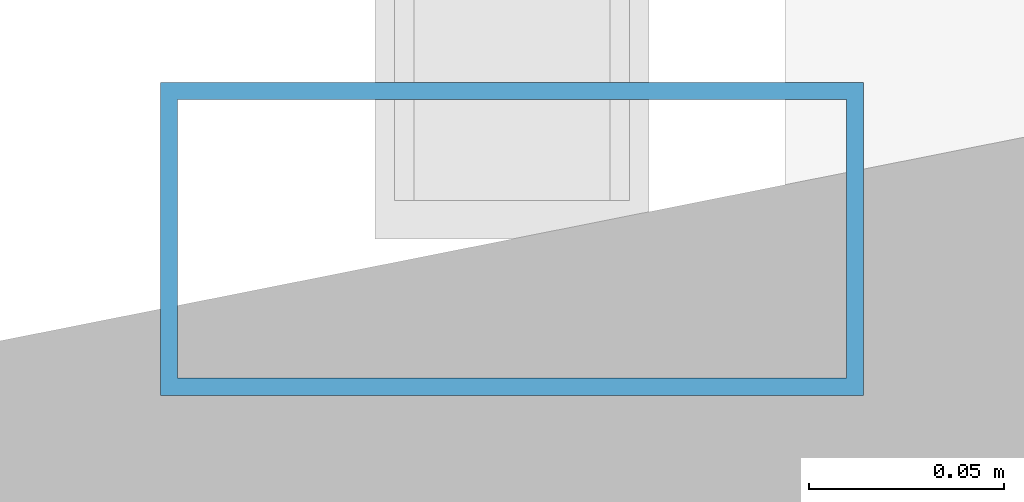
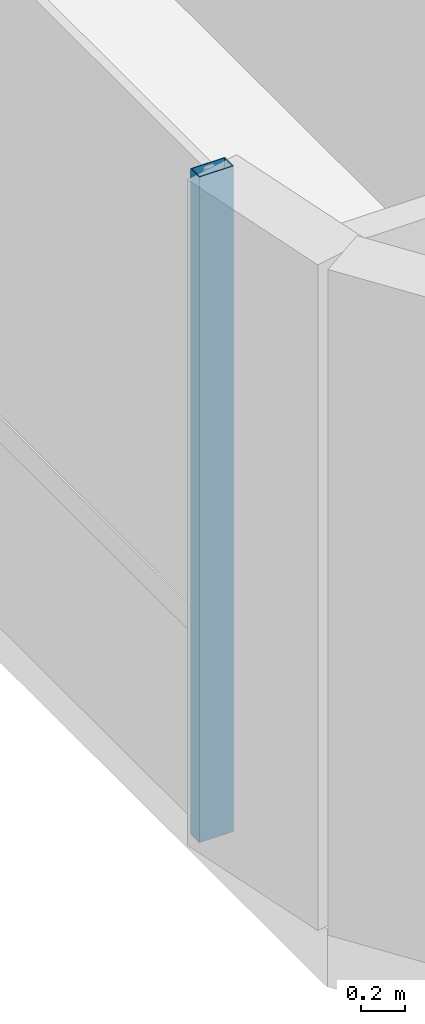
# One storey, part 10 of 35: 1 member, 1 element without a shape of its own.
"""IFC4 building model written with IfcOpenShell, lengths in metres."""

from ifc_helpers import new_model, si_unit, direction, frame, origin, origin_2d, place, context, subcontext, project, spatial, hollow_rectangle, extrude, source, transform, mapped, material, material_profile, profile_set, type_object, element, aggregate, save


model = new_model("IFC4")

# Units and contexts
model_context = context("Model", 3, precision=1e-05, world=origin(), true_north=direction((0.0, 1.0)))
body_context = subcontext(model_context, "Body", "Model", "MODEL_VIEW")
ifc_project = project(units=[si_unit("LENGTHUNIT", "METRE"), si_unit("AREAUNIT", "SQUARE_METRE"), si_unit("VOLUMEUNIT", "CUBIC_METRE"), si_unit("PLANEANGLEUNIT", "RADIAN"), si_unit("MASSUNIT", "GRAM", prefix="KILO")], contexts=[model_context])

# Site, building, storey
site_placement = place(None, origin())
site = spatial("IfcSite", under=ifc_project, at=site_placement, CompositionType="ELEMENT")
building_placement = place(site_placement, origin())
building = spatial("IfcBuilding", under=site, at=building_placement, Name="Valdorenza Pilgrim Sanctuary Tower", CompositionType="ELEMENT")
storey_placement = place(building_placement, frame((0.0, 0.0, 192.35009765625)))
storey = spatial("IfcBuildingStorey", under=building, at=storey_placement, Name="L49", CompositionType="ELEMENT", Elevation=192.35009765625)

# Curtain wall, member
ifc_material_1 = material(Name="Curtain-wall IGU glazing", Category="glass")
curtain_wall_type = type_object("IfcCurtainWallType", Name="CW-SYS-05", PredefinedType="NOTDEFINED", material=ifc_material_1)
curtain_wall_placement = place(storey_placement, origin())
curtain_wall = element("IfcCurtainWall", 1, at=curtain_wall_placement, inside=storey, type_object=curtain_wall_type, Name="L49 Curtain Wall CW-L49-1-47", PredefinedType="NOTDEFINED")
ifc_material_2 = material(Name="Anodised aluminium AW-6060", Category="aluminium")
ifc_material_profile = material_profile(ifc_material_2, hollow_rectangle(XDim=0.080078125, YDim=0.179931640625, WallThickness=0.00439453125, at=origin_2d()), Name="ALU-M 180x80x4.5")
ifc_profile_set = profile_set([ifc_material_profile], Name="Anodised aluminium AW-6060")
member_type = type_object("IfcMemberType", Name="CW-MUL-05", PredefinedType="MULLION", material=ifc_profile_set)
shared_shape = source(origin(), body_context, "Body", "SweptSolid", [
    extrude(hollow_rectangle(XDim=0.080078125, YDim=0.179931640625, WallThickness=0.00439453125, at=origin_2d()), origin(), (0.0, 0.0, 1.0), 3.7099609375),
])
member_placement = place(storey_placement, frame((13.610107421875, -9.589111328125, 0.0), z_axis=(0.0, 0.0, 1.0), x_axis=(0.0, 1.0, 0.0)))
member = element("IfcMember", 2, at=member_placement, type_object=member_type, Name="CW-L49-1-47 Mullion 1", PredefinedType="MULLION", context=body_context, shape_type="MappedRepresentation", body=[
    mapped(shared_shape, transform((0.0, 0.0, 0.0), x_axis=(1.0, 0.0, 0.0), y_axis=(0.0, 1.0, 0.0), z_axis=(0.0, 0.0, 1.0), scale=1.0)),
])
aggregate(curtain_wall, [member])

save(model, "model.ifc")
